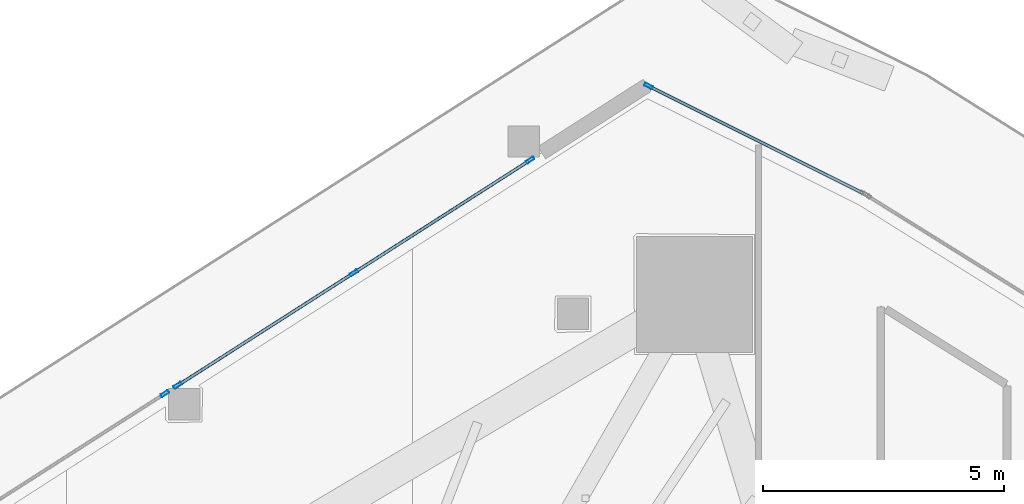
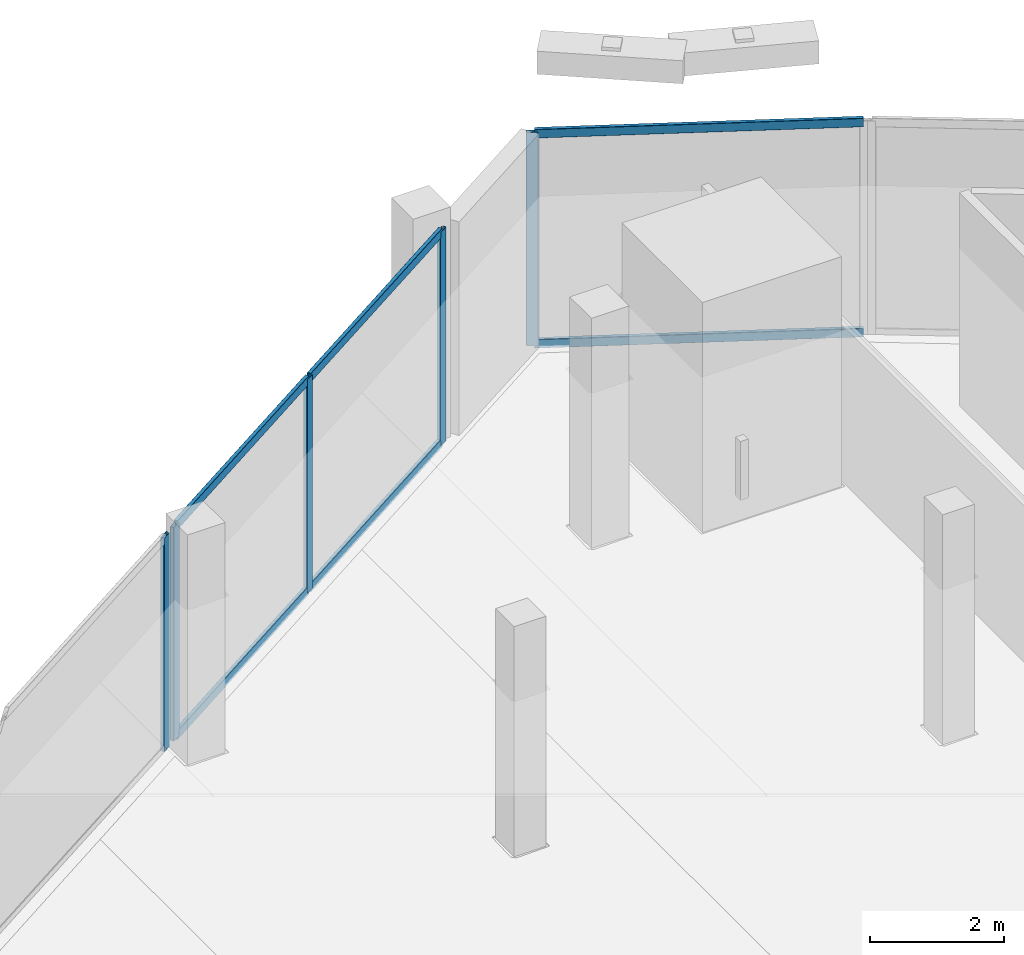
# One storey, part 22 of 45: 11 members, 3 elements without a shape of their own.
"""IFC4 building model written with IfcOpenShell, lengths in metres."""

from ifc_helpers import new_model, si_unit, direction, frame, origin, origin_2d, place, context, subcontext, project, spatial, hollow_rectangle, extrude, material, layer, layer_set, material_profile, profile_set, type_object, element, aggregate, save


model = new_model("IFC4")

# Units and contexts
model_context = context("Model", 3, precision=1e-05, world=origin(), true_north=direction((0.0, 1.0)))
body_context = subcontext(model_context, "Body", "Model", "MODEL_VIEW")
ifc_project = project(units=[si_unit("LENGTHUNIT", "METRE"), si_unit("AREAUNIT", "SQUARE_METRE"), si_unit("VOLUMEUNIT", "CUBIC_METRE"), si_unit("PLANEANGLEUNIT", "RADIAN"), si_unit("MASSUNIT", "GRAM", prefix="KILO")], contexts=[model_context])

# Site, building, storey
site_placement = place(None, origin())
site = spatial("IfcSite", under=ifc_project, at=site_placement, CompositionType="ELEMENT")
building_placement = place(site_placement, origin())
building = spatial("IfcBuilding", under=site, at=building_placement, Name="Qorvath Tower", CompositionType="ELEMENT")
storey_placement = place(building_placement, frame((0.0, 0.0, 95.39990234375)))
storey = spatial("IfcBuildingStorey", under=building, at=storey_placement, Name="L21", CompositionType="ELEMENT", Elevation=95.39990234375)

# Curtain wall, member
ifc_material_1 = material(Name="Anodised aluminium and triple low-E glass", Category="aluminium")
ifc_layer = layer(ifc_material_1, 0.179931640625)
ifc_layer_set = layer_set([ifc_layer], Name="CW-SYS-2")
curtain_wall_type = type_object("IfcCurtainWallType", Name="CW-SYS-2", PredefinedType="NOTDEFINED", material=ifc_layer_set)
curtain_wall_1_placement = place(storey_placement, origin())
curtain_wall_1 = element("IfcCurtainWall", 1, at=curtain_wall_1_placement, inside=storey, type_object=curtain_wall_type, Name="Curtain Wall CW-2 CW-T-L21-15.1", PredefinedType="NOTDEFINED")
ifc_material_2 = material(Name="Anodised aluminium 6063-T6", Category="aluminium")
ifc_material_profile_1 = material_profile(ifc_material_2, hollow_rectangle(XDim=0.06494140625, YDim=0.179931640625, WallThickness=0.00341796875, InnerFilletRadius=0.00341796875, OuterFilletRadius=0.007080078125, at=origin_2d()), Name="CWM 180x65")
ifc_profile_set_1 = profile_set([ifc_material_profile_1], Name="Anodised aluminium 6063-T6")
member_type_1 = type_object("IfcMemberType", Name="CWM-180", PredefinedType="MULLION", material=ifc_profile_set_1)
member_1_placement = place(storey_placement, frame((-15.416748046875, 31.64794921875, 0.0), z_axis=(0.0, 0.0, 1.0), x_axis=(-0.447245233408, -0.894411371347, 0.0)))
member_1 = element("IfcMember", 2, at=member_1_placement, type_object=member_type_1, Name="CW-2 mullion 2", PredefinedType="MULLION", context=body_context, shape_type="SweptSolid", body=[
    extrude(hollow_rectangle(XDim=0.06494140625, YDim=0.179931640625, WallThickness=0.00341796875, InnerFilletRadius=0.00341796875, OuterFilletRadius=0.007080078125, at=origin_2d()), origin(), (0.0, 0.0, 1.0), 3.900146484375),
])

# Curtain wall, members
curtain_wall_2_placement = place(storey_placement, origin())
curtain_wall_2 = element("IfcCurtainWall", 3, at=curtain_wall_2_placement, inside=storey, type_object=curtain_wall_type, Name="Curtain Wall CW-2 CW-T-L21-16.2", PredefinedType="NOTDEFINED")
member_2_placement = place(storey_placement, frame((-17.870849609375, 30.1123046875, 0.0), z_axis=(0.0, 0.0, 1.0), x_axis=(0.538539989809, -0.842599952158, 0.0)))
member_2 = element("IfcMember", 4, at=member_2_placement, type_object=member_type_1, Name="CW-2 mullion 1", PredefinedType="MULLION", context=body_context, shape_type="SweptSolid", body=[
    extrude(hollow_rectangle(XDim=0.06494140625, YDim=0.179931640625, WallThickness=0.00341796875, InnerFilletRadius=0.00341796875, OuterFilletRadius=0.007080078125, at=origin_2d()), origin(), (0.0, 0.0, 1.0), 3.900146484375),
])
member_3_placement = place(storey_placement, frame((-21.521240234375, 27.779296875, 0.0), z_axis=(0.0, 0.0, 1.0), x_axis=(0.538539989809, -0.842599952158, 0.0)))
member_3 = element("IfcMember", 5, at=member_3_placement, type_object=member_type_1, Name="CW-2 mullion 2", PredefinedType="MULLION", context=body_context, shape_type="SweptSolid", body=[
    extrude(hollow_rectangle(XDim=0.06494140625, YDim=0.179931640625, WallThickness=0.00341796875, InnerFilletRadius=0.00341796875, OuterFilletRadius=0.007080078125, at=origin_2d()), origin(), (0.0, 0.0, 1.0), 3.900146484375),
])
member_4_placement = place(storey_placement, frame((-25.171630859375, 25.4462890625, 0.0), z_axis=(0.0, 0.0, 1.0), x_axis=(0.538539989809, -0.842599952158, 0.0)))
member_4 = element("IfcMember", 6, at=member_4_placement, type_object=member_type_1, Name="CW-2 mullion 3", PredefinedType="MULLION", context=body_context, shape_type="SweptSolid", body=[
    extrude(hollow_rectangle(XDim=0.06494140625, YDim=0.179931640625, WallThickness=0.00341796875, InnerFilletRadius=0.00341796875, OuterFilletRadius=0.007080078125, at=origin_2d()), origin(), (0.0, 0.0, 1.0), 3.900146484375),
])

# Curtain wall, member
curtain_wall_3_placement = place(storey_placement, origin())
curtain_wall_3 = element("IfcCurtainWall", 7, at=curtain_wall_3_placement, inside=storey, type_object=curtain_wall_type, Name="Curtain Wall CW-2 CW-T-L21-16.3", PredefinedType="NOTDEFINED")
member_5_placement = place(storey_placement, frame((-25.43505859375, 25.27783203125, 0.0), z_axis=(0.0, 0.0, 1.0), x_axis=(0.538540700777, -0.842599497749, 0.0)))
member_5 = element("IfcMember", 8, at=member_5_placement, type_object=member_type_1, Name="CW-2 mullion 1", PredefinedType="MULLION", context=body_context, shape_type="SweptSolid", body=[
    extrude(hollow_rectangle(XDim=0.06494140625, YDim=0.179931640625, WallThickness=0.00341796875, InnerFilletRadius=0.00341796875, OuterFilletRadius=0.007080078125, at=origin_2d()), origin(), (0.0, 0.0, 1.0), 3.900146484375),
])
aggregate(curtain_wall_3, [member_5])

# Member
ifc_material_3 = material(Name="Anodised aluminium 6063-T6", Category="aluminium")
ifc_material_profile_2 = material_profile(ifc_material_3, hollow_rectangle(XDim=0.06494140625, YDim=0.159912109375, WallThickness=0.00341796875, InnerFilletRadius=0.00341796875, OuterFilletRadius=0.007080078125, at=origin_2d()), Name="CWT 160x65")
ifc_profile_set_2 = profile_set([ifc_material_profile_2], Name="Anodised aluminium 6063-T6")
member_type_2 = type_object("IfcMemberType", Name="CWT-160", PredefinedType="USERDEFINED", material=ifc_profile_set_2)
member_6_placement = place(storey_placement, frame((-10.980712890625, 29.4296875, 0.032470703125), z_axis=(-0.894417280889, 0.447233415174, 0.0), x_axis=(-0.447233415174, -0.894417280889, 0.0)))
member_6 = element("IfcMember", 9, at=member_6_placement, type_object=member_type_2, Name="CW-2 transom 1.1", ObjectType="TRANSOM", PredefinedType="USERDEFINED", context=body_context, shape_type="SweptSolid", body=[
    extrude(hollow_rectangle(XDim=0.06494140625, YDim=0.159912109375, WallThickness=0.00341796875, InnerFilletRadius=0.00341796875, OuterFilletRadius=0.007080078125, at=origin_2d()), origin(), (0.0, 0.0, 1.0), 4.92724609375),
])

member_7_placement = place(storey_placement, frame((-10.980712890625, 29.4296875, 3.86767578125), z_axis=(-0.894417280889, 0.447233415174, 0.0), x_axis=(-0.447233415174, -0.894417280889, 0.0)))
member_7 = element("IfcMember", 10, at=member_7_placement, type_object=member_type_2, Name="CW-2 transom 1.2", ObjectType="TRANSOM", PredefinedType="USERDEFINED", context=body_context, shape_type="SweptSolid", body=[
    extrude(hollow_rectangle(XDim=0.06494140625, YDim=0.159912109375, WallThickness=0.00341796875, InnerFilletRadius=0.00341796875, OuterFilletRadius=0.007080078125, at=origin_2d()), origin(), (0.0, 0.0, 1.0), 4.92724609375),
])

aggregate(curtain_wall_1, [member_1, member_6, member_7])

member_8_placement = place(storey_placement, frame((-17.898193359375, 30.094970703125, 0.032470703125), z_axis=(-0.842606841947, -0.538529209889, 0.0), x_axis=(0.538529209889, -0.842606841947, 0.0)))
member_8 = element("IfcMember", 11, at=member_8_placement, type_object=member_type_2, Name="CW-2 transom 1.1", ObjectType="TRANSOM", PredefinedType="USERDEFINED", context=body_context, shape_type="SweptSolid", body=[
    extrude(hollow_rectangle(XDim=0.06494140625, YDim=0.159912109375, WallThickness=0.00341796875, InnerFilletRadius=0.00341796875, OuterFilletRadius=0.007080078125, at=origin_2d()), origin(), (0.0, 0.0, 1.0), 4.267333984375),
])

member_9_placement = place(storey_placement, frame((-17.898193359375, 30.094970703125, 3.86767578125), z_axis=(-0.842606841947, -0.538529209889, 0.0), x_axis=(0.538529209889, -0.842606841947, 0.0)))
member_9 = element("IfcMember", 12, at=member_9_placement, type_object=member_type_2, Name="CW-2 transom 1.2", ObjectType="TRANSOM", PredefinedType="USERDEFINED", context=body_context, shape_type="SweptSolid", body=[
    extrude(hollow_rectangle(XDim=0.06494140625, YDim=0.159912109375, WallThickness=0.00341796875, InnerFilletRadius=0.00341796875, OuterFilletRadius=0.007080078125, at=origin_2d()), origin(), (0.0, 0.0, 1.0), 4.267333984375),
])

member_10_placement = place(storey_placement, frame((-21.548583984375, 27.76171875, 0.032470703125), z_axis=(-0.842606841947, -0.538529209889, 0.0), x_axis=(0.538529209889, -0.842606841947, 0.0)))
member_10 = element("IfcMember", 13, at=member_10_placement, type_object=member_type_2, Name="CW-2 transom 2.1", ObjectType="TRANSOM", PredefinedType="USERDEFINED", context=body_context, shape_type="SweptSolid", body=[
    extrude(hollow_rectangle(XDim=0.06494140625, YDim=0.159912109375, WallThickness=0.00341796875, InnerFilletRadius=0.00341796875, OuterFilletRadius=0.007080078125, at=origin_2d()), origin(), (0.0, 0.0, 1.0), 4.267333984375),
])

member_11_placement = place(storey_placement, frame((-21.548583984375, 27.76171875, 3.86767578125), z_axis=(-0.842606841947, -0.538529209889, 0.0), x_axis=(0.538529209889, -0.842606841947, 0.0)))
member_11 = element("IfcMember", 14, at=member_11_placement, type_object=member_type_2, Name="CW-2 transom 2.2", ObjectType="TRANSOM", PredefinedType="USERDEFINED", context=body_context, shape_type="SweptSolid", body=[
    extrude(hollow_rectangle(XDim=0.06494140625, YDim=0.159912109375, WallThickness=0.00341796875, InnerFilletRadius=0.00341796875, OuterFilletRadius=0.007080078125, at=origin_2d()), origin(), (0.0, 0.0, 1.0), 4.267333984375),
])

aggregate(curtain_wall_2, [member_2, member_3, member_4, member_8, member_9, member_10, member_11])

save(model, "model.ifc")
